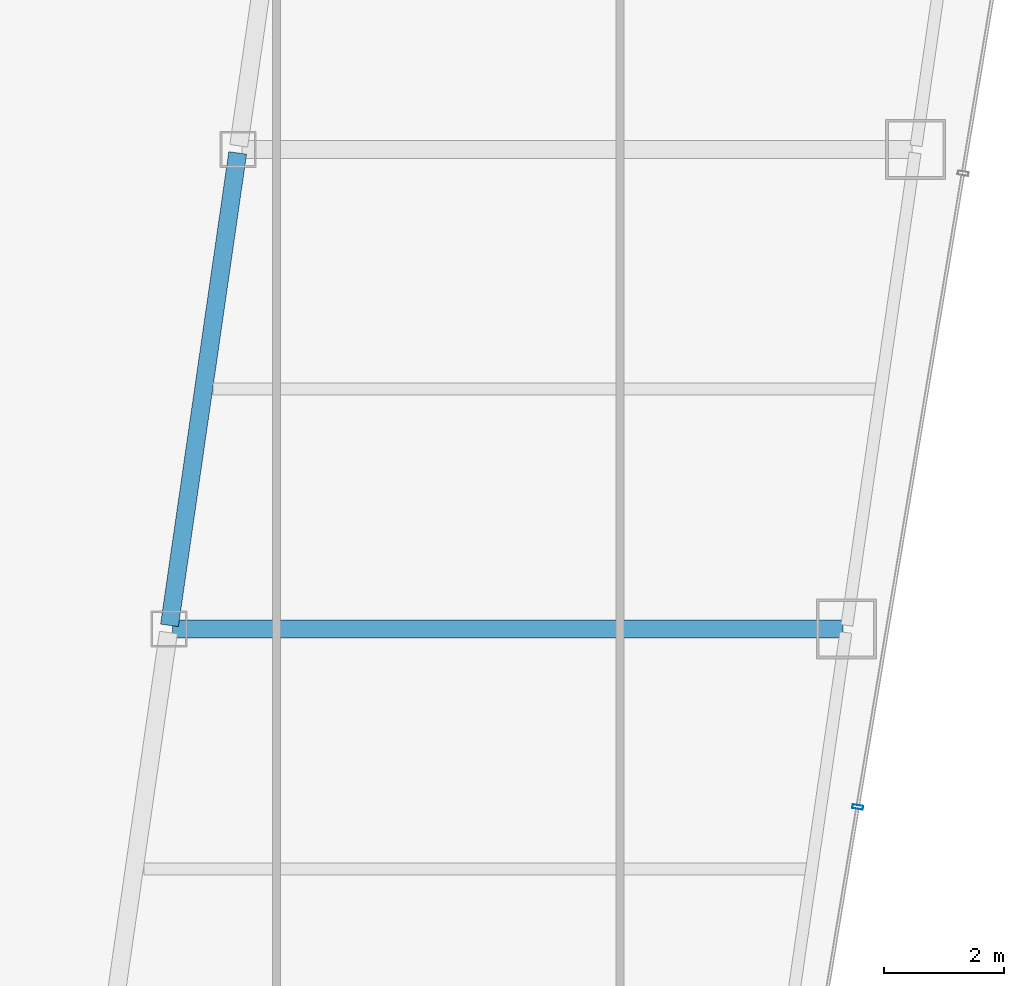
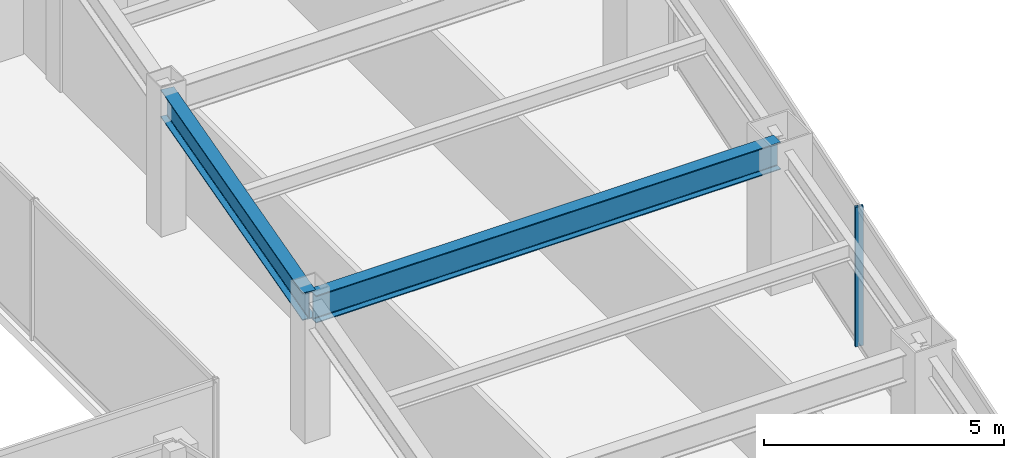
# One storey, part 17 of 38: 2 beams, 1 member, 1 element without a shape of its own.
"""IFC4 building model written with IfcOpenShell, lengths in metres."""

from ifc_helpers import new_model, si_unit, direction, frame, origin, origin_2d, place, context, subcontext, project, spatial, hollow_rectangle, i_section, extrude, material, material_profile, profile_set, type_object, element, aggregate, save


model = new_model("IFC4")

# Units and contexts
model_context = context("Model", 3, precision=1e-05, world=origin(), true_north=direction((0.0, 1.0)))
body_context = subcontext(model_context, "Body", "Model", "MODEL_VIEW")
ifc_project = project(units=[si_unit("LENGTHUNIT", "METRE"), si_unit("AREAUNIT", "SQUARE_METRE"), si_unit("VOLUMEUNIT", "CUBIC_METRE"), si_unit("PLANEANGLEUNIT", "RADIAN"), si_unit("MASSUNIT", "GRAM", prefix="KILO")], contexts=[model_context])

# Site, building, storey
site_placement = place(None, origin())
site = spatial("IfcSite", under=ifc_project, at=site_placement, CompositionType="ELEMENT")
building_placement = place(site_placement, origin())
building = spatial("IfcBuilding", under=site, at=building_placement, Name="Saevonmaru Cultural Tower", CompositionType="ELEMENT")
storey_placement = place(building_placement, frame((0.0, 0.0, 137.199951171875)))
storey = spatial("IfcBuildingStorey", under=building, at=storey_placement, Name="L29", CompositionType="ELEMENT", Elevation=137.199951171875)

# Beams
ifc_material_1 = material(Name="Steel SM355", Category="steel")
ifc_material_profile_1 = material_profile(ifc_material_1, i_section(OverallWidth=0.300048828125, OverallDepth=0.699951171875, WebThickness=0.012939453125, FlangeThickness=0.02392578125, FilletRadius=0.02587890625, at=origin_2d()), Name="H-700x300x13x24")
ifc_profile_set_1 = profile_set([ifc_material_profile_1], Name="Steel SM355")
beam_type = type_object("IfcBeamType", Name="BM-G-H700", PredefinedType="BEAM", material=ifc_profile_set_1)
beam_1_placement = place(storey_placement, frame((39.236572265625, 24.059326171875, 3.199951171875), z_axis=(0.142902032203, 0.989736838353, 0.0), x_axis=(-0.989736838353, 0.142902032203, 0.0)))
element("IfcBeam", 1, at=beam_1_placement, inside=storey, type_object=beam_type, Name="L29 East Atrium Girder 3", PredefinedType="BEAM", context=body_context, shape_type="SweptSolid", body=[
    extrude(i_section(OverallWidth=0.300048828125, OverallDepth=0.699951171875, WebThickness=0.012939453125, FlangeThickness=0.02392578125, FilletRadius=0.02587890625, at=origin_2d()), origin(), (0.0, 0.0, 1.0), 7.963134765625),
])
beam_2_placement = place(storey_placement, frame((39.2880859375, 24.0, 3.199951171875), z_axis=(1.0, 0.0, 0.0), x_axis=(0.0, 1.0, 0.0)))
element("IfcBeam", 2, at=beam_2_placement, inside=storey, type_object=beam_type, Name="L29 East Wing Transverse Girder 3", PredefinedType="BEAM", context=body_context, shape_type="SweptSolid", body=[
    extrude(i_section(OverallWidth=0.300048828125, OverallDepth=0.699951171875, WebThickness=0.012939453125, FlangeThickness=0.02392578125, FilletRadius=0.02587890625, at=origin_2d()), origin(), (0.0, 0.0, 1.0), 11.179931640625),
])

# Curtain wall, member
ifc_material_2 = material(Name="Satin Bronze Anodised Aluminium", Category="aluminium")
curtain_wall_type = type_object("IfcCurtainWallType", Name="CW-TYP-A", PredefinedType="NOTDEFINED", material=ifc_material_2)
curtain_wall_placement = place(storey_placement, origin())
curtain_wall = element("IfcCurtainWall", 3, at=curtain_wall_placement, inside=storey, type_object=curtain_wall_type, Name="L29 Unitised Curtain Wall E8", PredefinedType="NOTDEFINED")
ifc_material_profile_2 = material_profile(ifc_material_2, hollow_rectangle(XDim=0.06494140625, YDim=0.179931640625, WallThickness=0.00390625, at=origin_2d()), Name="ALU-MULL-180x65x4")
ifc_profile_set_2 = profile_set([ifc_material_profile_2], Name="Satin Bronze Anodised Aluminium")
member_type = type_object("IfcMemberType", Name="ML-CW-180x65", PredefinedType="MULLION", material=ifc_profile_set_2)
member_placement = place(storey_placement, frame((50.71826171875, 21.029541015625, 0.0), z_axis=(0.0, 0.0, 1.0), x_axis=(0.163998702345, 0.986460554523, 0.0)))
member = element("IfcMember", 4, at=member_placement, type_object=member_type, Name="CW-TW-L29-E8 mullion 2", PredefinedType="MULLION", context=body_context, shape_type="SweptSolid", body=[
    extrude(hollow_rectangle(XDim=0.06494140625, YDim=0.179931640625, WallThickness=0.00390625, at=origin_2d()), origin(), (0.0, 0.0, 1.0), 3.550048828125),
])
aggregate(curtain_wall, [member])

save(model, "model.ifc")
